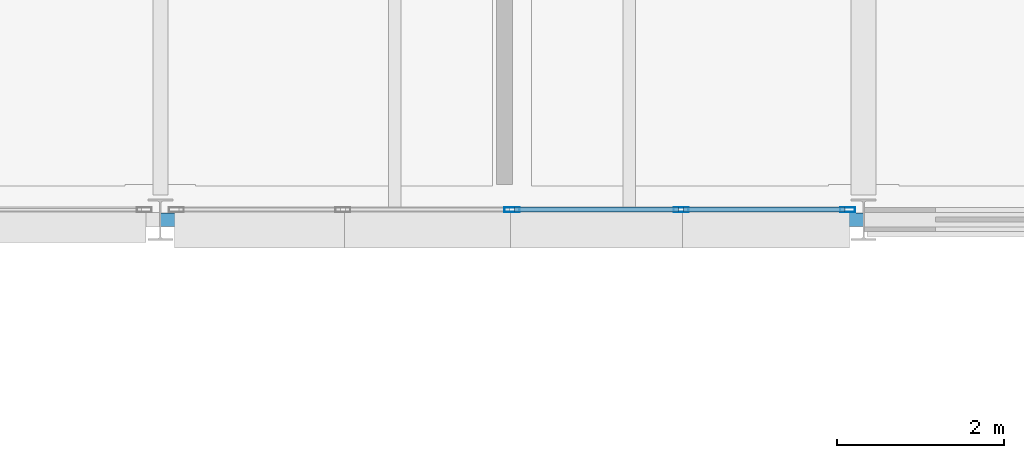
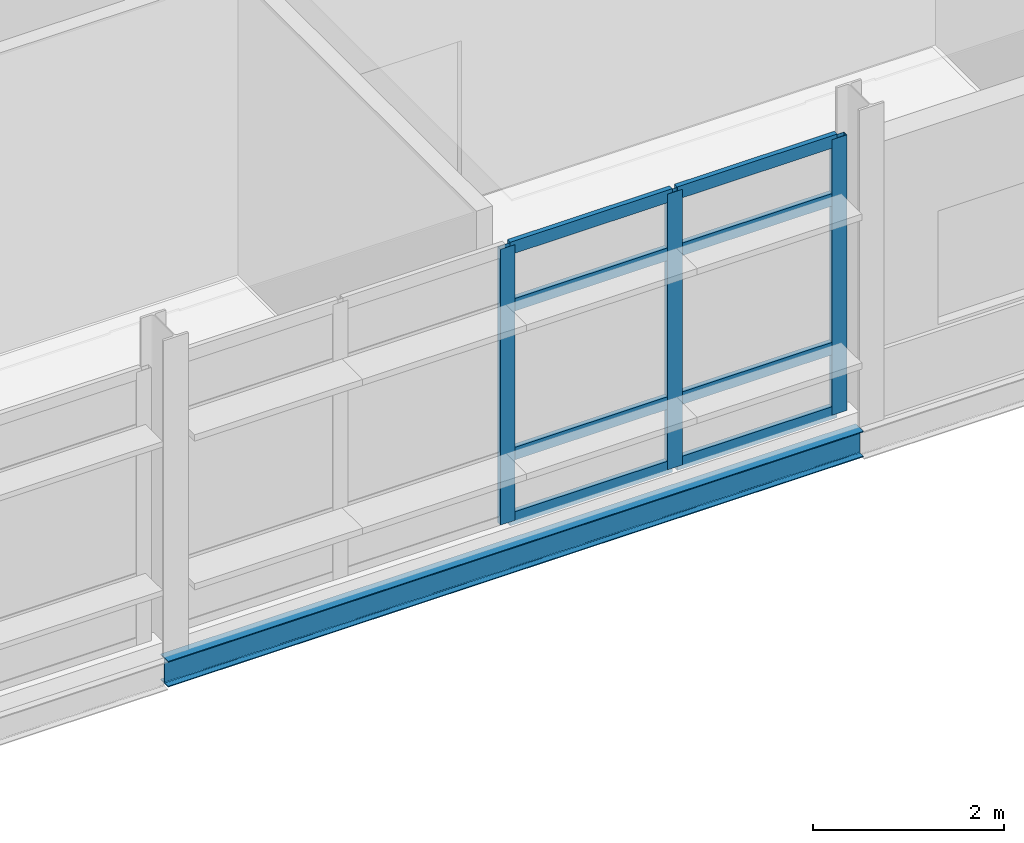
# One storey, part 85 of 151: 11 members, 1 beam, 1 element without a shape of its own.
"""IFC4 building model written with IfcOpenShell, lengths in metres."""

from ifc_helpers import new_model, si_unit, direction, frame, origin, origin_2d, place, context, subcontext, project, spatial, hollow_rectangle, i_section, extrude, material, material_profile, profile_set, type_object, element, aggregate, save


model = new_model("IFC4")

# Units and contexts
model_context = context("Model", 3, precision=1e-05, world=origin(), true_north=direction((0.0, 1.0)))
body_context = subcontext(model_context, "Body", "Model", "MODEL_VIEW")
ifc_project = project(units=[si_unit("LENGTHUNIT", "METRE"), si_unit("AREAUNIT", "SQUARE_METRE"), si_unit("VOLUMEUNIT", "CUBIC_METRE"), si_unit("PLANEANGLEUNIT", "RADIAN"), si_unit("MASSUNIT", "GRAM", prefix="KILO")], contexts=[model_context])

# Site, building, storey
site_placement = place(None, origin())
site = spatial("IfcSite", under=ifc_project, at=site_placement, CompositionType="ELEMENT")
building_placement = place(site_placement, origin())
building = spatial("IfcBuilding", under=site, at=building_placement, Name="Mersafa Astral City Hall", CompositionType="ELEMENT")
storey_placement = place(building_placement, frame((0.0, 0.0, 9.89990234375)))
storey = spatial("IfcBuildingStorey", under=building, at=storey_placement, Name="L02", CompositionType="ELEMENT", Elevation=9.89990234375)

# Curtain wall, members
ifc_material_1 = material(Name="Anodised bronze aluminium framing", Category="aluminium")
curtain_wall_type = type_object("IfcCurtainWallType", Name="ENV-CW-5", PredefinedType="USERDEFINED", material=ifc_material_1)
curtain_wall_placement = place(storey_placement, origin())
curtain_wall = element("IfcCurtainWall", 1, at=curtain_wall_placement, inside=storey, type_object=curtain_wall_type, Name="L02 Unitised solar curtain wall 118", ObjectType="UNITISED CURTAIN WALL", PredefinedType="USERDEFINED")
ifc_material_profile_1 = material_profile(ifc_material_1, hollow_rectangle(XDim=0.06005859375, YDim=0.179931640625, WallThickness=0.00390625, at=origin_2d()), Name="RHS 60x180x4")
ifc_profile_set_1 = profile_set([ifc_material_profile_1], Name="Anodised bronze aluminium framing")
member_type_1 = type_object("IfcMemberType", Name="ENV-CW-MUL-1", PredefinedType="MULLION", material=ifc_profile_set_1)
member_1_placement = place(storey_placement, frame((130.199951171875, 117.719970703125, -0.001953125), z_axis=(0.0, 0.0, 1.0), x_axis=(0.0, 1.0, 0.0)))
member_1 = element("IfcMember", 2, at=member_1_placement, type_object=member_type_1, Name="CW-5 mullion 3", PredefinedType="MULLION", context=body_context, shape_type="SweptSolid", body=[
    extrude(hollow_rectangle(XDim=0.06005859375, YDim=0.179931640625, WallThickness=0.00390625, at=origin_2d()), origin(), (0.0, 0.0, 1.0), 3.51904296875),
])
member_2_placement = place(storey_placement, frame((132.218994140625, 117.719970703125, -0.001953125), z_axis=(0.0, 0.0, 1.0), x_axis=(0.0, 1.0, 0.0)))
member_2 = element("IfcMember", 3, at=member_2_placement, type_object=member_type_1, Name="CW-5 mullion 4", PredefinedType="MULLION", context=body_context, shape_type="SweptSolid", body=[
    extrude(hollow_rectangle(XDim=0.06005859375, YDim=0.179931640625, WallThickness=0.00390625, at=origin_2d()), origin(), (0.0, 0.0, 1.0), 3.51904296875),
])
member_3_placement = place(storey_placement, frame((134.2080078125, 117.719970703125, -0.001953125), z_axis=(0.0, 0.0, 1.0), x_axis=(0.0, 1.0, 0.0)))
member_3 = element("IfcMember", 4, at=member_3_placement, type_object=member_type_1, Name="CW-5 mullion 5", PredefinedType="MULLION", context=body_context, shape_type="SweptSolid", body=[
    extrude(hollow_rectangle(XDim=0.06005859375, YDim=0.179931640625, WallThickness=0.00390625, at=origin_2d()), origin(), (0.0, 0.0, 1.0), 3.51904296875),
])
ifc_material_profile_2 = material_profile(ifc_material_1, hollow_rectangle(XDim=0.06005859375, YDim=0.159912109375, WallThickness=0.00390625, at=origin_2d()), Name="RHS 60x160x4")
ifc_profile_set_2 = profile_set([ifc_material_profile_2], Name="Anodised bronze aluminium framing")
member_type_2 = type_object("IfcMemberType", Name="ENV-CW-TRN-2", PredefinedType="USERDEFINED", material=ifc_profile_set_2)
member_4_placement = place(storey_placement, frame((130.22998046875, 117.719970703125, 0.028076171875), z_axis=(1.0, 0.0, 0.0), x_axis=(0.0, 1.0, 0.0)))
member_4 = element("IfcMember", 5, at=member_4_placement, type_object=member_type_2, Name="CW-5 transom 3.1", ObjectType="TRANSOM", PredefinedType="USERDEFINED", context=body_context, shape_type="SweptSolid", body=[
    extrude(hollow_rectangle(XDim=0.06005859375, YDim=0.159912109375, WallThickness=0.00390625, at=origin_2d()), origin(), (0.0, 0.0, 1.0), 1.958984375),
])
member_5_placement = place(storey_placement, frame((130.22998046875, 117.719970703125, 0.85009765625), z_axis=(1.0, 0.0, 0.0), x_axis=(0.0, 1.0, 0.0)))
member_5 = element("IfcMember", 6, at=member_5_placement, type_object=member_type_2, Name="CW-5 transom 3.2", ObjectType="TRANSOM", PredefinedType="USERDEFINED", context=body_context, shape_type="SweptSolid", body=[
    extrude(hollow_rectangle(XDim=0.06005859375, YDim=0.159912109375, WallThickness=0.00390625, at=origin_2d()), origin(), (0.0, 0.0, 1.0), 1.958984375),
])
member_6_placement = place(storey_placement, frame((130.22998046875, 117.719970703125, 2.75), z_axis=(1.0, 0.0, 0.0), x_axis=(0.0, 1.0, 0.0)))
member_6 = element("IfcMember", 7, at=member_6_placement, type_object=member_type_2, Name="CW-5 transom 3.3", ObjectType="TRANSOM", PredefinedType="USERDEFINED", context=body_context, shape_type="SweptSolid", body=[
    extrude(hollow_rectangle(XDim=0.06005859375, YDim=0.159912109375, WallThickness=0.00390625, at=origin_2d()), origin(), (0.0, 0.0, 1.0), 1.958984375),
])
member_7_placement = place(storey_placement, frame((130.22998046875, 117.719970703125, 3.487060546875), z_axis=(1.0, 0.0, 0.0), x_axis=(0.0, 1.0, 0.0)))
member_7 = element("IfcMember", 8, at=member_7_placement, type_object=member_type_2, Name="CW-5 transom 3.4", ObjectType="TRANSOM", PredefinedType="USERDEFINED", context=body_context, shape_type="SweptSolid", body=[
    extrude(hollow_rectangle(XDim=0.06005859375, YDim=0.159912109375, WallThickness=0.00390625, at=origin_2d()), origin(), (0.0, 0.0, 1.0), 1.958984375),
])
member_8_placement = place(storey_placement, frame((132.2490234375, 117.719970703125, 0.028076171875), z_axis=(1.0, 0.0, 0.0), x_axis=(0.0, 1.0, 0.0)))
member_8 = element("IfcMember", 9, at=member_8_placement, type_object=member_type_2, Name="CW-5 transom 4.1", ObjectType="TRANSOM", PredefinedType="USERDEFINED", context=body_context, shape_type="SweptSolid", body=[
    extrude(hollow_rectangle(XDim=0.06005859375, YDim=0.159912109375, WallThickness=0.00390625, at=origin_2d()), origin(), (0.0, 0.0, 1.0), 1.928955078125),
])
member_9_placement = place(storey_placement, frame((132.2490234375, 117.719970703125, 0.85009765625), z_axis=(1.0, 0.0, 0.0), x_axis=(0.0, 1.0, 0.0)))
member_9 = element("IfcMember", 10, at=member_9_placement, type_object=member_type_2, Name="CW-5 transom 4.2", ObjectType="TRANSOM", PredefinedType="USERDEFINED", context=body_context, shape_type="SweptSolid", body=[
    extrude(hollow_rectangle(XDim=0.06005859375, YDim=0.159912109375, WallThickness=0.00390625, at=origin_2d()), origin(), (0.0, 0.0, 1.0), 1.928955078125),
])
member_10_placement = place(storey_placement, frame((132.2490234375, 117.719970703125, 2.75), z_axis=(1.0, 0.0, 0.0), x_axis=(0.0, 1.0, 0.0)))
member_10 = element("IfcMember", 11, at=member_10_placement, type_object=member_type_2, Name="CW-5 transom 4.3", ObjectType="TRANSOM", PredefinedType="USERDEFINED", context=body_context, shape_type="SweptSolid", body=[
    extrude(hollow_rectangle(XDim=0.06005859375, YDim=0.159912109375, WallThickness=0.00390625, at=origin_2d()), origin(), (0.0, 0.0, 1.0), 1.928955078125),
])
member_11_placement = place(storey_placement, frame((132.2490234375, 117.719970703125, 3.487060546875), z_axis=(1.0, 0.0, 0.0), x_axis=(0.0, 1.0, 0.0)))
member_11 = element("IfcMember", 12, at=member_11_placement, type_object=member_type_2, Name="CW-5 transom 4.4", ObjectType="TRANSOM", PredefinedType="USERDEFINED", context=body_context, shape_type="SweptSolid", body=[
    extrude(hollow_rectangle(XDim=0.06005859375, YDim=0.159912109375, WallThickness=0.00390625, at=origin_2d()), origin(), (0.0, 0.0, 1.0), 1.928955078125),
])
aggregate(curtain_wall, [member_1, member_2, member_3, member_4, member_5, member_6, member_7, member_8, member_9, member_10, member_11])

# Beam
ifc_material_2 = material(Name="Steel S355", Category="steel")
ifc_material_profile_3 = material_profile(ifc_material_2, i_section(OverallWidth=0.159912109375, OverallDepth=0.330078125, WebThickness=0.007568359375, FlangeThickness=0.011474609375, FilletRadius=0.01806640625, at=origin_2d()), Name="IPE 330")
ifc_profile_set_3 = profile_set([ifc_material_profile_3], Name="Steel S355")
beam_type = type_object("IfcBeamType", Name="STR-BM-SPANDREL-IPE330", PredefinedType="SPANDREL", material=ifc_profile_set_3)
beam_placement = place(storey_placement, frame((126.0029296875, 117.60009765625, -0.364990234375), z_axis=(1.0, 0.0, 0.0), x_axis=(0.0, 1.0, 0.0)))
element("IfcBeam", 13, at=beam_placement, inside=storey, type_object=beam_type, Name="L02 Primary girder X 15-14", PredefinedType="SPANDREL", context=body_context, shape_type="SweptSolid", body=[
    extrude(i_section(OverallWidth=0.159912109375, OverallDepth=0.330078125, WebThickness=0.007568359375, FlangeThickness=0.011474609375, FilletRadius=0.01806640625, at=origin_2d()), origin(), (0.0, 0.0, 1.0), 8.39404296875),
])

save(model, "model.ifc")
